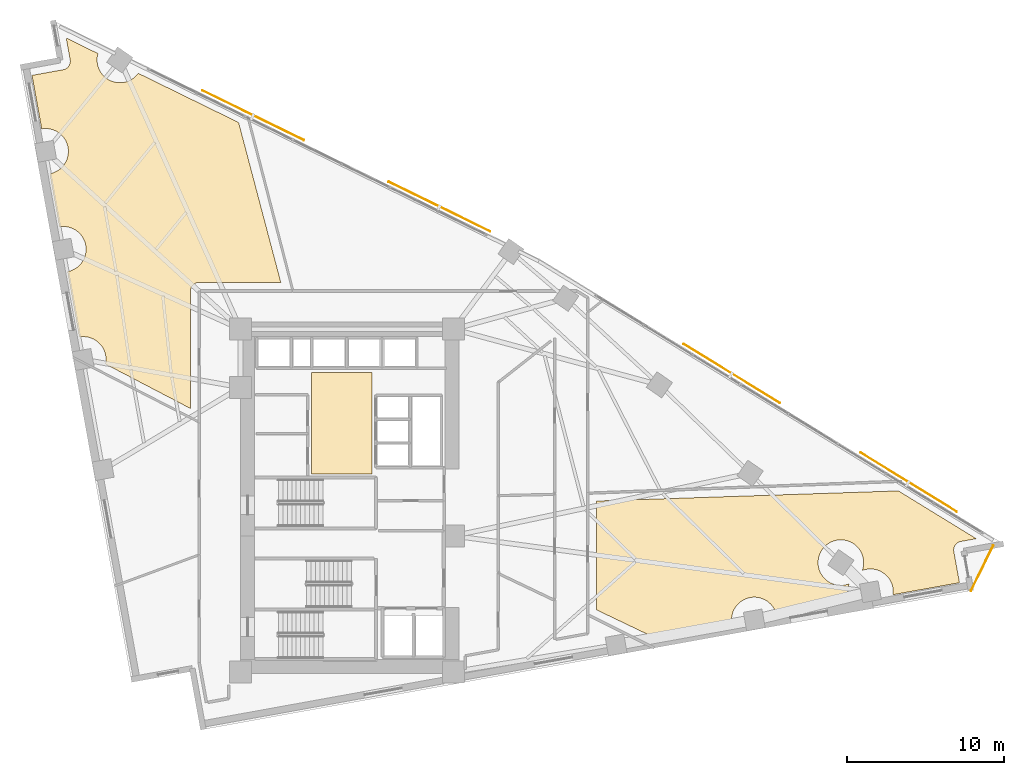
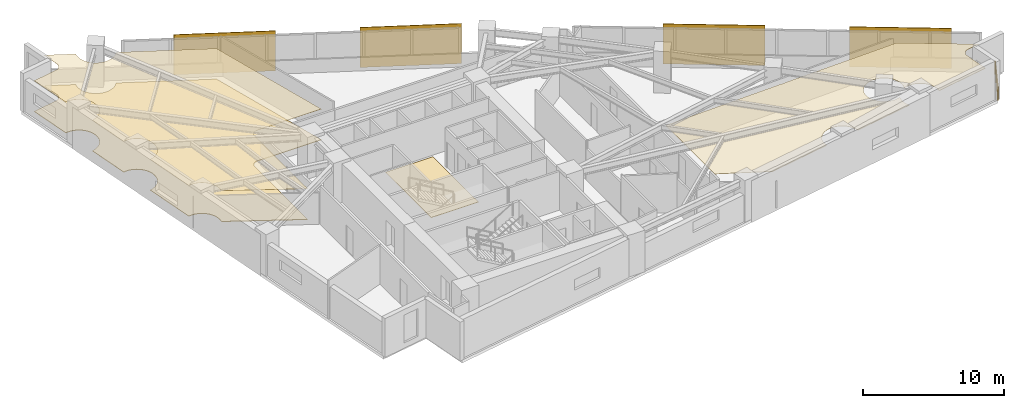
# One storey, part 19 of 19: 4 coverings, 4 shading devices, 1 railing.
"""IFC4 building model written with IfcOpenShell, lengths in metres."""

from ifc_helpers import new_model, si_unit, direction, frame, origin, origin_2d, place, context, subcontext, project, spatial, polyline, rectangle, circle, outline, extrude, material, layer, layer_set, type_object, element, save


model = new_model("IFC4")

# Units and contexts
model_context = context("Model", 3, precision=1e-05, world=origin(), true_north=direction((0.0, 1.0)))
body_context = subcontext(model_context, "Body", "Model", "MODEL_VIEW")
ifc_project = project(units=[si_unit("LENGTHUNIT", "METRE"), si_unit("AREAUNIT", "SQUARE_METRE"), si_unit("VOLUMEUNIT", "CUBIC_METRE"), si_unit("PLANEANGLEUNIT", "RADIAN"), si_unit("MASSUNIT", "GRAM", prefix="KILO")], contexts=[model_context])

# Site, building, storey
site_placement = place(None, origin())
site = spatial("IfcSite", under=ifc_project, at=site_placement, CompositionType="ELEMENT")
building_placement = place(site_placement, origin())
building = spatial("IfcBuilding", under=site, at=building_placement, Name="Narakoshi Arena Tower", CompositionType="ELEMENT")
storey_placement = place(building_placement, frame((0.0, 0.0, 113.699951171875)))
storey = spatial("IfcBuildingStorey", under=building, at=storey_placement, Name="L30", CompositionType="ELEMENT", Elevation=113.699951171875)

# Coverings
ifc_material_1 = material(Name="Acoustic mineral-fibre ceiling tile")
ifc_layer_1 = layer(ifc_material_1, 0.02001953125)
ifc_layer_set_1 = layer_set([ifc_layer_1], Name="Acoustic mineral-fibre ceiling tile")
covering_type_1 = type_object("IfcCoveringType", Name="COV-CLG-AC20", PredefinedType="CEILING", material=ifc_layer_set_1)
covering_1_placement = place(storey_placement, frame((0.0, 0.0, 2.670166015625)))
element("IfcCovering", 1, at=covering_1_placement, inside=storey, type_object=covering_type_1, Name="L30 Suspended Acoustic Ceiling 1", PredefinedType="CEILING", context=body_context, shape_type="SweptSolid", body=[
    extrude(outline(polyline([(60.713623046875, 73.00830078125), (60.76611328125, 73.0205078125), (60.8173828125, 73.037841796875), (60.866455078125, 73.06005859375), (60.9130859375, 73.0869140625), (60.95703125, 73.118408203125), (60.997802734375, 73.154052734375), (61.03466796875, 73.193359375), (61.067626953125, 73.236083984375), (61.09619140625, 73.281982421875), (61.1201171875, 73.330322265625), (61.13916015625, 73.380859375), (61.1533203125, 73.432861328125), (61.162109375, 73.486083984375), (61.16552734375, 73.5400390625), (61.163818359375, 73.593994140625), (61.156982421875, 73.6474609375), (60.90771484375, 75.025390625), (62.92578125, 74.03662109375), (62.895751953125, 73.916015625), (62.874755859375, 73.775146484375), (62.867919921875, 73.633056640625), (62.874755859375, 73.490966796875), (62.895751953125, 73.35009765625), (62.93017578125, 73.212158203125), (62.978271484375, 73.078125), (63.0390625, 72.949462890625), (63.1123046875, 72.827392578125), (63.197021484375, 72.713134765625), (63.29248046875, 72.607666015625), (63.39794921875, 72.51220703125), (63.51220703125, 72.427490234375), (63.63427734375, 72.354248046875), (63.762939453125, 72.29345703125), (63.89697265625, 72.245361328125), (64.034912109375, 72.2109375), (64.17578125, 72.18994140625), (64.31787109375, 72.18310546875), (64.4599609375, 72.18994140625), (64.6005859375, 72.2109375), (64.73876953125, 72.245361328125), (64.872802734375, 72.29345703125), (65.001220703125, 72.354248046875), (65.123291015625, 72.427490234375), (65.23779296875, 72.51220703125), (65.343017578125, 72.607666015625), (65.438720703125, 72.713134765625), (65.48876953125, 72.78076171875), (71.87353515625, 69.65234375), (74.5576171875, 59.47802734375), (69.364990234375, 59.47802734375), (69.31103515625, 59.475341796875), (69.2578125, 59.46728515625), (69.205322265625, 59.454345703125), (69.154541015625, 59.43603515625), (69.105712890625, 59.4130859375), (69.059326171875, 59.38525390625), (69.01611328125, 59.353271484375), (68.97607421875, 59.31689453125), (68.939697265625, 59.27685546875), (68.90771484375, 59.233642578125), (68.8798828125, 59.187255859375), (68.85693359375, 59.138427734375), (68.838623046875, 59.087646484375), (68.82568359375, 59.035400390625), (68.817626953125, 58.98193359375), (68.81494140625, 58.927978515625), (68.81494140625, 51.452392578125), (63.406494140625, 54.279296875), (63.409912109375, 54.29248046875), (63.4306640625, 54.433349609375), (63.437744140625, 54.575439453125), (63.4306640625, 54.717529296875), (63.409912109375, 54.8583984375), (63.375244140625, 54.996337890625), (63.327392578125, 55.13037109375), (63.2666015625, 55.259033203125), (63.193359375, 55.381103515625), (63.108642578125, 55.495361328125), (63.012939453125, 55.600830078125), (62.90771484375, 55.6962890625), (62.793212890625, 55.781005859375), (62.671142578125, 55.854248046875), (62.54248046875, 55.9150390625), (62.40869140625, 55.963134765625), (62.2705078125, 55.99755859375), (62.1298828125, 56.0185546875), (61.98779296875, 56.025390625), (61.845703125, 56.0185546875), (61.73974609375, 56.002685546875), (60.98779296875, 60.16064453125), (61.003173828125, 60.1630859375), (61.14111328125, 60.197509765625), (61.275146484375, 60.24560546875), (61.40380859375, 60.306396484375), (61.52587890625, 60.37939453125), (61.64013671875, 60.464111328125), (61.74560546875, 60.559814453125), (61.841064453125, 60.665283203125), (61.92578125, 60.779541015625), (61.9990234375, 60.901611328125), (62.059814453125, 61.0302734375), (62.10791015625, 61.164306640625), (62.142333984375, 61.30224609375), (62.1630859375, 61.443115234375), (62.170166015625, 61.585205078125), (62.1630859375, 61.727294921875), (62.142333984375, 61.867919921875), (62.10791015625, 62.006103515625), (62.059814453125, 62.139892578125), (61.9990234375, 62.2685546875), (61.92578125, 62.390625), (61.841064453125, 62.5048828125), (61.74560546875, 62.6103515625), (61.64013671875, 62.7060546875), (61.52587890625, 62.790771484375), (61.40380859375, 62.864013671875), (61.275146484375, 62.9248046875), (61.14111328125, 62.97265625), (61.003173828125, 63.007080078125), (60.8623046875, 63.028076171875), (60.72021484375, 63.03515625), (60.578125, 63.028076171875), (60.47216796875, 63.012451171875), (59.861083984375, 66.3916015625), (59.87646484375, 66.393798828125), (60.014404296875, 66.42822265625), (60.1484375, 66.476318359375), (60.277099609375, 66.537109375), (60.399169921875, 66.6103515625), (60.513427734375, 66.695068359375), (60.618896484375, 66.79052734375), (60.71435546875, 66.89599609375), (60.799072265625, 67.01025390625), (60.872314453125, 67.13232421875), (60.93310546875, 67.260986328125), (60.981201171875, 67.39501953125), (61.015625, 67.532958984375), (61.03662109375, 67.673828125), (61.04345703125, 67.81591796875), (61.03662109375, 67.9580078125), (61.015625, 68.098876953125), (60.981201171875, 68.23681640625), (60.93310546875, 68.370849609375), (60.872314453125, 68.49951171875), (60.799072265625, 68.62158203125), (60.71435546875, 68.73583984375), (60.618896484375, 68.84130859375), (60.513427734375, 68.936767578125), (60.399169921875, 69.021484375), (60.277099609375, 69.0947265625), (60.1484375, 69.155517578125), (60.014404296875, 69.20361328125), (59.87646484375, 69.238037109375), (59.735595703125, 69.2587890625), (59.593505859375, 69.265869140625), (59.451416015625, 69.2587890625), (59.345703125, 69.2431640625), (58.7294921875, 72.649658203125), (60.713623046875, 73.00830078125)])), origin(), (0.0, 0.0, 1.0), 0.019775390625),
])
ifc_material_2 = material(Name="Slatted oak acoustic timber baffle", Category="wood")
ifc_layer_2 = layer(ifc_material_2, 0.034912109375)
ifc_layer_set_2 = layer_set([ifc_layer_2], Name="Slatted oak acoustic timber baffle")
covering_type_2 = type_object("IfcCoveringType", Name="COV-CLG-WD35", PredefinedType="CEILING", material=ifc_layer_set_2)
covering_2_placement = place(storey_placement, frame((0.0, 0.0, 2.655029296875)))
element("IfcCovering", 2, at=covering_2_placement, inside=storey, type_object=covering_type_2, Name="L30 Suspended Acoustic Ceiling 2", PredefinedType="CEILING", context=body_context, shape_type="SweptSolid", body=[
    extrude(outline(polyline([(117.766845703125, 42.983154296875), (117.715576171875, 42.9658203125), (117.66650390625, 42.943603515625), (117.61962890625, 42.916748046875), (117.57568359375, 42.88525390625), (117.53515625, 42.849609375), (117.498291015625, 42.810302734375), (117.46533203125, 42.767578125), (117.436767578125, 42.7216796875), (117.412841796875, 42.67333984375), (117.393798828125, 42.622802734375), (117.379638671875, 42.57080078125), (117.370849609375, 42.517578125), (117.3671875, 42.463623046875), (117.368896484375, 42.409912109375), (117.3759765625, 42.356201171875), (117.734619140625, 40.372314453125), (113.506103515625, 39.607421875), (113.51318359375, 39.65576171875), (113.520263671875, 39.7978515625), (113.51318359375, 39.93994140625), (113.492431640625, 40.080810546875), (113.4580078125, 40.21875), (113.409912109375, 40.352783203125), (113.34912109375, 40.4814453125), (113.27587890625, 40.603515625), (113.191162109375, 40.7177734375), (113.095703125, 40.8232421875), (112.990234375, 40.918701171875), (112.8759765625, 41.00341796875), (112.75390625, 41.07666015625), (112.625244140625, 41.137451171875), (112.4912109375, 41.185546875), (112.353271484375, 41.219970703125), (112.21240234375, 41.240966796875), (112.0703125, 41.247802734375), (111.92822265625, 41.240966796875), (111.787353515625, 41.219970703125), (111.6494140625, 41.185546875), (111.548095703125, 41.149169921875), (111.576904296875, 41.229248046875), (111.611328125, 41.3671875), (111.632080078125, 41.508056640625), (111.63916015625, 41.650146484375), (111.632080078125, 41.792236328125), (111.611328125, 41.93310546875), (111.576904296875, 42.071044921875), (111.52880859375, 42.205078125), (111.468017578125, 42.333740234375), (111.394775390625, 42.455810546875), (111.31005859375, 42.570068359375), (111.214599609375, 42.675537109375), (111.109130859375, 42.77099609375), (110.994873046875, 42.855712890625), (110.872802734375, 42.928955078125), (110.744140625, 42.98974609375), (110.610107421875, 43.037841796875), (110.47216796875, 43.072265625), (110.331298828125, 43.09326171875), (110.189208984375, 43.10009765625), (110.047119140625, 43.09326171875), (109.90625, 43.072265625), (109.768310546875, 43.037841796875), (109.63427734375, 42.98974609375), (109.505615234375, 42.928955078125), (109.383544921875, 42.855712890625), (109.269287109375, 42.77099609375), (109.163818359375, 42.675537109375), (109.068359375, 42.570068359375), (108.983642578125, 42.455810546875), (108.910400390625, 42.333740234375), (108.849609375, 42.205078125), (108.801513671875, 42.071044921875), (108.76708984375, 41.93310546875), (108.74609375, 41.792236328125), (108.7392578125, 41.650146484375), (108.74609375, 41.508056640625), (108.76708984375, 41.3671875), (108.801513671875, 41.229248046875), (108.849609375, 41.09521484375), (108.910400390625, 40.966796875), (108.983642578125, 40.844482421875), (109.068359375, 40.730224609375), (109.163818359375, 40.625), (109.269287109375, 40.529296875), (109.383544921875, 40.444580078125), (109.505615234375, 40.371337890625), (109.63427734375, 40.310546875), (109.768310546875, 40.2626953125), (109.90625, 40.22802734375), (110.047119140625, 40.207275390625), (110.189208984375, 40.2001953125), (110.331298828125, 40.207275390625), (110.47216796875, 40.22802734375), (110.610107421875, 40.2626953125), (110.71142578125, 40.298828125), (110.6826171875, 40.21875), (110.648193359375, 40.080810546875), (110.627197265625, 39.93994140625), (110.620361328125, 39.7978515625), (110.627197265625, 39.65576171875), (110.648193359375, 39.514892578125), (110.6826171875, 39.376953125), (110.730712890625, 39.242919921875), (110.79052734375, 39.116455078125), (106.105712890625, 38.269287109375), (106.103515625, 38.284423828125), (106.06884765625, 38.42236328125), (106.02099609375, 38.556396484375), (105.960205078125, 38.68505859375), (105.886962890625, 38.80712890625), (105.80224609375, 38.92138671875), (105.70654296875, 39.02685546875), (105.601318359375, 39.122314453125), (105.48681640625, 39.20703125), (105.36474609375, 39.2802734375), (105.236083984375, 39.341064453125), (105.102294921875, 39.38916015625), (104.964111328125, 39.423583984375), (104.823486328125, 39.444580078125), (104.681396484375, 39.451416015625), (104.539306640625, 39.444580078125), (104.3984375, 39.423583984375), (104.260498046875, 39.38916015625), (104.12646484375, 39.341064453125), (103.997802734375, 39.2802734375), (103.875732421875, 39.20703125), (103.761474609375, 39.122314453125), (103.656005859375, 39.02685546875), (103.560302734375, 38.92138671875), (103.4755859375, 38.80712890625), (103.402587890625, 38.68505859375), (103.341796875, 38.556396484375), (103.293701171875, 38.42236328125), (103.25927734375, 38.284423828125), (103.23828125, 38.1435546875), (103.231201171875, 38.00146484375), (103.23828125, 37.859375), (103.25390625, 37.753662109375), (98.3544921875, 36.86767578125), (94.635009765625, 38.647216796875), (94.635009765625, 45.56884765625), (104.251220703125, 45.8916015625), (104.2783203125, 45.887451171875), (104.42041015625, 45.880615234375), (104.5625, 45.887451171875), (104.688720703125, 45.90625), (113.84912109375, 46.21337890625), (118.80029296875, 43.172607421875), (117.8193359375, 42.995361328125), (117.766845703125, 42.983154296875)])), origin(), (0.0, 0.0, 1.0), 0.034912109375),
])
ifc_material_3 = material(Name="Raised steel access floor panel", Category="steel")
ifc_layer_3 = layer(ifc_material_3, 0.044921875)
ifc_layer_set_3 = layer_set([ifc_layer_3], Name="Raised steel access floor panel")
covering_type_3 = type_object("IfcCoveringType", Name="COV-FLR-RF45", PredefinedType="FLOORING", material=ifc_layer_set_3)
covering_3_placement = place(storey_placement, origin())
element("IfcCovering", 3, at=covering_3_placement, inside=storey, type_object=covering_type_3, Name="L30 Raised Steel Access Floor", PredefinedType="FLOORING", context=body_context, shape_type="SweptSolid", body=[
    extrude(outline(polyline([(60.713623046875, 73.00830078125), (60.76611328125, 73.0205078125), (60.8173828125, 73.037841796875), (60.866455078125, 73.06005859375), (60.9130859375, 73.0869140625), (60.95703125, 73.118408203125), (60.997802734375, 73.154052734375), (61.03466796875, 73.193359375), (61.067626953125, 73.236083984375), (61.09619140625, 73.281982421875), (61.1201171875, 73.330322265625), (61.13916015625, 73.380859375), (61.1533203125, 73.432861328125), (61.162109375, 73.486083984375), (61.16552734375, 73.5400390625), (61.163818359375, 73.593994140625), (61.156982421875, 73.6474609375), (60.90771484375, 75.025390625), (62.92578125, 74.03662109375), (62.895751953125, 73.916015625), (62.874755859375, 73.775146484375), (62.867919921875, 73.633056640625), (62.874755859375, 73.490966796875), (62.895751953125, 73.35009765625), (62.93017578125, 73.212158203125), (62.978271484375, 73.078125), (63.0390625, 72.949462890625), (63.1123046875, 72.827392578125), (63.197021484375, 72.713134765625), (63.29248046875, 72.607666015625), (63.39794921875, 72.51220703125), (63.51220703125, 72.427490234375), (63.63427734375, 72.354248046875), (63.762939453125, 72.29345703125), (63.89697265625, 72.245361328125), (64.034912109375, 72.2109375), (64.17578125, 72.18994140625), (64.31787109375, 72.18310546875), (64.4599609375, 72.18994140625), (64.6005859375, 72.2109375), (64.73876953125, 72.245361328125), (64.872802734375, 72.29345703125), (65.001220703125, 72.354248046875), (65.123291015625, 72.427490234375), (65.23779296875, 72.51220703125), (65.343017578125, 72.607666015625), (65.438720703125, 72.713134765625), (65.48876953125, 72.78076171875), (71.87353515625, 69.65234375), (74.5576171875, 59.47802734375), (69.364990234375, 59.47802734375), (69.31103515625, 59.475341796875), (69.2578125, 59.46728515625), (69.205322265625, 59.454345703125), (69.154541015625, 59.43603515625), (69.105712890625, 59.4130859375), (69.059326171875, 59.38525390625), (69.01611328125, 59.353271484375), (68.97607421875, 59.31689453125), (68.939697265625, 59.27685546875), (68.90771484375, 59.233642578125), (68.8798828125, 59.187255859375), (68.85693359375, 59.138427734375), (68.838623046875, 59.087646484375), (68.82568359375, 59.035400390625), (68.817626953125, 58.98193359375), (68.81494140625, 58.927978515625), (68.81494140625, 51.452392578125), (63.406494140625, 54.279296875), (63.409912109375, 54.29248046875), (63.4306640625, 54.433349609375), (63.437744140625, 54.575439453125), (63.4306640625, 54.717529296875), (63.409912109375, 54.8583984375), (63.375244140625, 54.996337890625), (63.327392578125, 55.13037109375), (63.2666015625, 55.259033203125), (63.193359375, 55.381103515625), (63.108642578125, 55.495361328125), (63.012939453125, 55.600830078125), (62.90771484375, 55.6962890625), (62.793212890625, 55.781005859375), (62.671142578125, 55.854248046875), (62.54248046875, 55.9150390625), (62.40869140625, 55.963134765625), (62.2705078125, 55.99755859375), (62.1298828125, 56.0185546875), (61.98779296875, 56.025390625), (61.845703125, 56.0185546875), (61.73974609375, 56.002685546875), (60.98779296875, 60.16064453125), (61.003173828125, 60.1630859375), (61.14111328125, 60.197509765625), (61.275146484375, 60.24560546875), (61.40380859375, 60.306396484375), (61.52587890625, 60.37939453125), (61.64013671875, 60.464111328125), (61.74560546875, 60.559814453125), (61.841064453125, 60.665283203125), (61.92578125, 60.779541015625), (61.9990234375, 60.901611328125), (62.059814453125, 61.0302734375), (62.10791015625, 61.164306640625), (62.142333984375, 61.30224609375), (62.1630859375, 61.443115234375), (62.170166015625, 61.585205078125), (62.1630859375, 61.727294921875), (62.142333984375, 61.867919921875), (62.10791015625, 62.006103515625), (62.059814453125, 62.139892578125), (61.9990234375, 62.2685546875), (61.92578125, 62.390625), (61.841064453125, 62.5048828125), (61.74560546875, 62.6103515625), (61.64013671875, 62.7060546875), (61.52587890625, 62.790771484375), (61.40380859375, 62.864013671875), (61.275146484375, 62.9248046875), (61.14111328125, 62.97265625), (61.003173828125, 63.007080078125), (60.8623046875, 63.028076171875), (60.72021484375, 63.03515625), (60.578125, 63.028076171875), (60.47216796875, 63.012451171875), (59.861083984375, 66.3916015625), (59.87646484375, 66.393798828125), (60.014404296875, 66.42822265625), (60.1484375, 66.476318359375), (60.277099609375, 66.537109375), (60.399169921875, 66.6103515625), (60.513427734375, 66.695068359375), (60.618896484375, 66.79052734375), (60.71435546875, 66.89599609375), (60.799072265625, 67.01025390625), (60.872314453125, 67.13232421875), (60.93310546875, 67.260986328125), (60.981201171875, 67.39501953125), (61.015625, 67.532958984375), (61.03662109375, 67.673828125), (61.04345703125, 67.81591796875), (61.03662109375, 67.9580078125), (61.015625, 68.098876953125), (60.981201171875, 68.23681640625), (60.93310546875, 68.370849609375), (60.872314453125, 68.49951171875), (60.799072265625, 68.62158203125), (60.71435546875, 68.73583984375), (60.618896484375, 68.84130859375), (60.513427734375, 68.936767578125), (60.399169921875, 69.021484375), (60.277099609375, 69.0947265625), (60.1484375, 69.155517578125), (60.014404296875, 69.20361328125), (59.87646484375, 69.238037109375), (59.735595703125, 69.2587890625), (59.593505859375, 69.265869140625), (59.451416015625, 69.2587890625), (59.345703125, 69.2431640625), (58.7294921875, 72.649658203125), (60.713623046875, 73.00830078125)])), origin(), (0.0, 0.0, 1.0), 0.045166015625),
])
ifc_material_4 = material(Name="Honed granite stone paving", Category="masonry")
ifc_layer_4 = layer(ifc_material_4, 0.030029296875)
ifc_layer_set_4 = layer_set([ifc_layer_4], Name="Honed granite stone paving")
covering_type_4 = type_object("IfcCoveringType", Name="COV-FLR-ST30", PredefinedType="FLOORING", material=ifc_layer_set_4)
covering_4_placement = place(storey_placement, origin())
element("IfcCovering", 4, at=covering_4_placement, inside=storey, type_object=covering_type_4, Name="L30 Lift Lobby Granite Flooring", PredefinedType="FLOORING", context=body_context, shape_type="SweptSolid", body=[
    extrude(outline(polyline([(76.5, 47.300048828125), (80.35009765625, 47.300048828125), (80.35009765625, 53.75), (76.5, 53.75), (76.5, 47.300048828125)])), origin(), (0.0, 0.0, 1.0), 0.030029296875),
])

# Railing
ifc_material_5 = material(Name="Brushed bronze stainless steel", Category="steel")
railing_type = type_object("IfcRailingType", Name="RL-GRD-1150", PredefinedType="GUARDRAIL", material=ifc_material_5)
railing_placement = place(storey_placement, frame((118.466796875, 39.8642578125, 0.0)))
element("IfcRailing", 5, at=railing_placement, inside=storey, type_object=railing_type, Name="L30 Corner Loggia Balcony Guardrail", PredefinedType="GUARDRAIL", context=body_context, shape_type="SweptSolid", body=[
    extrude(circle(Radius=0.02392578125, at=origin_2d()), frame((0.0, 0.0, 1.1259765625), z_axis=(0.442312707184, 0.896860897277, 0.0), x_axis=(-0.896860897277, 0.442312707184, 0.0)), (0.0, 0.0, 1.0), 3.192626953125),
    extrude(circle(Radius=0.02099609375, at=origin_2d()), origin(), (0.0, 0.0, 1.0), 1.101806640625),
    extrude(circle(Radius=0.02099609375, at=origin_2d()), frame((0.470703125, 0.954345703125, 0.0)), (0.0, 0.0, 1.0), 1.101806640625),
    extrude(circle(Radius=0.02099609375, at=origin_2d()), frame((0.94140625, 1.908935546875, 0.0)), (0.0, 0.0, 1.0), 1.101806640625),
    extrude(circle(Radius=0.02099609375, at=origin_2d()), frame((1.412109375, 2.86328125, 0.0)), (0.0, 0.0, 1.0), 1.101806640625),
])

# Shading devices
ifc_material_6 = material(Name="Perforated bronze ceramic-metal composite")
ifc_layer_5 = layer(ifc_material_6, 0.044921875)
ifc_layer_set_5 = layer_set([ifc_layer_5], Name="Perforated bronze ceramic-metal composite")
shading_device_type = type_object("IfcShadingDeviceType", Name="SHD-SCR-BRZ1", PredefinedType="USERDEFINED", material=ifc_layer_set_5)
for number, where, z_axis, x_axis, name in (
    (6, (114.495849609375, 46.77001953125, 0.0), (0.0, 0.0, 1.0), (-0.852110807003, 0.523361416794, 0.0), "L30 Perforated Bronze Solar Screen 1-1"),
    (7, (103.247802734375, 53.67822265625, 0.0), (0.0, 0.0, 1.0), (-0.852110807003, 0.523361416794, 0.0), "L30 Perforated Bronze Solar Screen 1-2"),
    (8, (84.6494140625, 64.297119140625, 0.0), (0.0, 0.0, 1.0), (-0.897996860024, 0.440001862936, 0.0), "L30 Perforated Bronze Solar Screen 2-1"),
    (9, (72.7958984375, 70.105224609375, 0.0), (0.0, 0.0, 1.0), (-0.897996860024, 0.440001862936, 0.0), "L30 Perforated Bronze Solar Screen 2-2"),
):
    element("IfcShadingDevice", number, at=place(storey_placement, frame(where, z_axis=z_axis, x_axis=x_axis)), inside=storey, type_object=shading_device_type, Name=name, ObjectType="SOLAR SCREEN", PredefinedType="USERDEFINED", context=body_context, shape_type="SweptSolid", body=[
        extrude(rectangle(XDim=7.199951171875, YDim=0.044921875, at=origin_2d()), origin(), (0.0, 0.0, 1.0), 3.449951171875),
    ])

save(model, "model.ifc")
